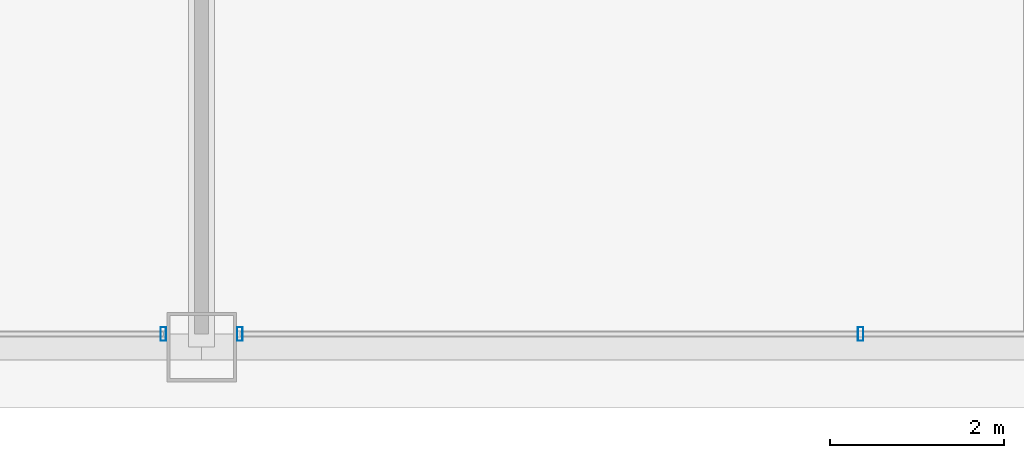
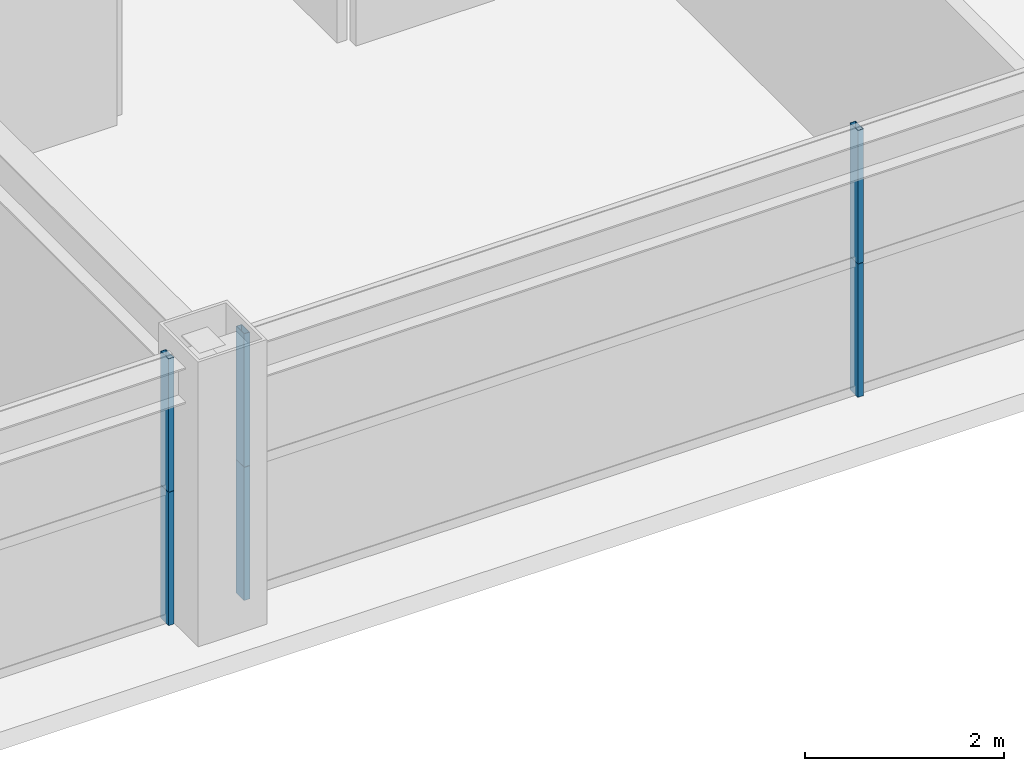
# One storey, part 10 of 38: 6 members, 2 elements without a shape of their own.
"""IFC4 building model written with IfcOpenShell, lengths in metres."""

from ifc_helpers import new_model, si_unit, direction, frame, origin, origin_2d, place, context, subcontext, project, spatial, hollow_rectangle, extrude, source, transform, mapped, material, layer, layer_set, material_profile, profile_set, type_object, element, aggregate, save


model = new_model("IFC4")

# Units and contexts
model_context = context("Model", 3, precision=1e-05, world=origin(), true_north=direction((0.0, 1.0)))
body_context = subcontext(model_context, "Body", "Model", "MODEL_VIEW")
ifc_project = project(units=[si_unit("LENGTHUNIT", "METRE"), si_unit("AREAUNIT", "SQUARE_METRE"), si_unit("VOLUMEUNIT", "CUBIC_METRE"), si_unit("PLANEANGLEUNIT", "RADIAN"), si_unit("MASSUNIT", "GRAM", prefix="KILO"), si_unit("THERMODYNAMICTEMPERATUREUNIT", "KELVIN"), si_unit("POWERUNIT", "WATT")], contexts=[model_context])

# Site, building, storey
site_placement = place(None, origin())
site = spatial("IfcSite", under=ifc_project, at=site_placement, CompositionType="ELEMENT")
building_placement = place(site_placement, origin())
building = spatial("IfcBuilding", under=site, at=building_placement, Name="Yuzanri Waterfront Tower", CompositionType="ELEMENT")
storey_placement = place(building_placement, frame((0.0, 0.0, 181.0)))
storey = spatial("IfcBuildingStorey", under=building, at=storey_placement, Name="L47", CompositionType="ELEMENT", Elevation=181.0)

# Curtain wall, members
ifc_material_1 = material(Name="Anodized Architectural Bronze", Category="metal")
ifc_layer = layer(ifc_material_1, 0.159912109375)
ifc_layer_set = layer_set([ifc_layer], Name="Anodized Architectural Bronze")
curtain_wall_type = type_object("IfcCurtainWallType", Name="Anodized Bronze Mid-Rise Residential Acoustic Unitized Curtain Wall 7200", PredefinedType="NOTDEFINED", material=ifc_layer_set)
curtain_wall_1_placement = place(storey_placement, origin())
curtain_wall_1 = element("IfcCurtainWall", 1, at=curtain_wall_1_placement, inside=storey, type_object=curtain_wall_type, Name="L47 Curtain Wall CW-L47-SL", PredefinedType="NOTDEFINED")
ifc_material_2 = material(Name="Anodized Architectural Bronze", Category="metal")
ifc_material_profile = material_profile(ifc_material_2, hollow_rectangle(XDim=0.06494140625, YDim=0.159912109375, WallThickness=0.00341796875, at=origin_2d()), Name="CWM 65x160")
ifc_profile_set = profile_set([ifc_material_profile], Name="Anodized Architectural Bronze")
member_type = type_object("IfcMemberType", Name="Anodized Bronze Upper-Zone Curtain-Wall Mullion 65x160", PredefinedType="MULLION", material=ifc_profile_set)
shared_shape = source(origin(), body_context, "Body", "SweptSolid", [
    extrude(hollow_rectangle(XDim=0.06494140625, YDim=0.159912109375, WallThickness=0.00341796875, at=origin_2d()), origin(), (0.0, 0.0, 1.0), 1.637939453125),
])
member_1_placement = place(storey_placement, frame((36.56005859375, 3.85009765625, 0.0), z_axis=(0.0, 0.0, 1.0), x_axis=(1.0, 0.0, 0.0)))
member_1 = element("IfcMember", 2, at=member_1_placement, type_object=member_type, Name="CW-L47-SL Lower Mullion 02", PredefinedType="MULLION", context=body_context, shape_type="MappedRepresentation", body=[
    mapped(shared_shape, transform((0.0, 0.0, 0.0), scale=1.0)),
])
member_2_placement = place(storey_placement, frame((36.56005859375, 3.85009765625, 1.64208984375), z_axis=(0.0, 0.0, 1.0), x_axis=(1.0, 0.0, 0.0)))
member_2 = element("IfcMember", 3, at=member_2_placement, type_object=member_type, Name="CW-L47-SL Upper Mullion 02", PredefinedType="MULLION", context=body_context, shape_type="MappedRepresentation", body=[
    mapped(shared_shape, transform((0.0, 0.0, 0.0), scale=1.0)),
])
aggregate(curtain_wall_1, [member_1, member_2])

curtain_wall_2_placement = place(storey_placement, origin())
curtain_wall_2 = element("IfcCurtainWall", 4, at=curtain_wall_2_placement, inside=storey, type_object=curtain_wall_type, Name="L47 Curtain Wall CW-L47-SR", PredefinedType="NOTDEFINED")
member_3_placement = place(storey_placement, frame((37.43994140625, 3.85009765625, 0.0), z_axis=(0.0, 0.0, 1.0), x_axis=(1.0, 0.0, 0.0)))
member_3 = element("IfcMember", 5, at=member_3_placement, type_object=member_type, Name="CW-L47-SR Lower Mullion 00", PredefinedType="MULLION", context=body_context, shape_type="MappedRepresentation", body=[
    mapped(shared_shape, transform((0.0, 0.0, 0.0), scale=1.0)),
])
member_4_placement = place(storey_placement, frame((37.43994140625, 3.85009765625, 1.64208984375), z_axis=(0.0, 0.0, 1.0), x_axis=(1.0, 0.0, 0.0)))
member_4 = element("IfcMember", 6, at=member_4_placement, type_object=member_type, Name="CW-L47-SR Upper Mullion 00", PredefinedType="MULLION", context=body_context, shape_type="MappedRepresentation", body=[
    mapped(shared_shape, transform((0.0, 0.0, 0.0), scale=1.0)),
])
member_5_placement = place(storey_placement, frame((44.574951171875, 3.85009765625, 0.0), z_axis=(0.0, 0.0, 1.0), x_axis=(1.0, 0.0, 0.0)))
member_5 = element("IfcMember", 7, at=member_5_placement, type_object=member_type, Name="CW-L47-SR Lower Mullion 01", PredefinedType="MULLION", context=body_context, shape_type="MappedRepresentation", body=[
    mapped(shared_shape, transform((0.0, 0.0, 0.0), scale=1.0)),
])
member_6_placement = place(storey_placement, frame((44.574951171875, 3.85009765625, 1.64208984375), z_axis=(0.0, 0.0, 1.0), x_axis=(1.0, 0.0, 0.0)))
member_6 = element("IfcMember", 8, at=member_6_placement, type_object=member_type, Name="CW-L47-SR Upper Mullion 01", PredefinedType="MULLION", context=body_context, shape_type="MappedRepresentation", body=[
    mapped(shared_shape, transform((0.0, 0.0, 0.0), scale=1.0)),
])
aggregate(curtain_wall_2, [member_3, member_4, member_5, member_6])

save(model, "model.ifc")
